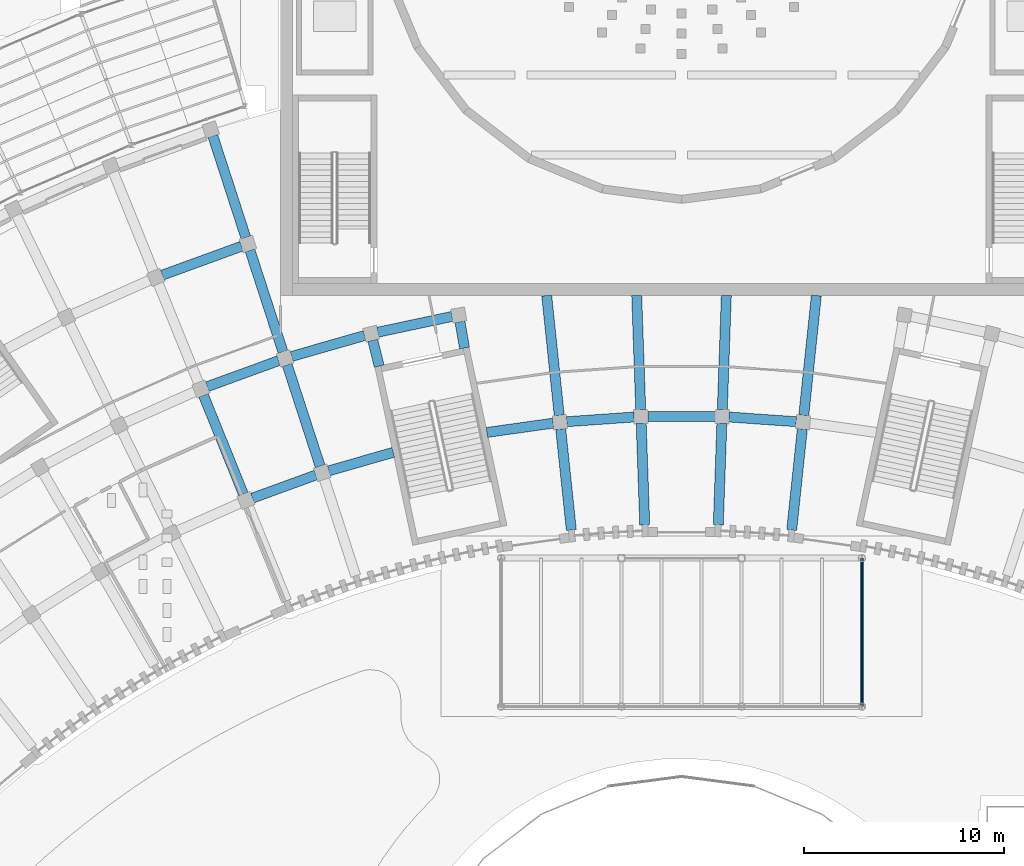
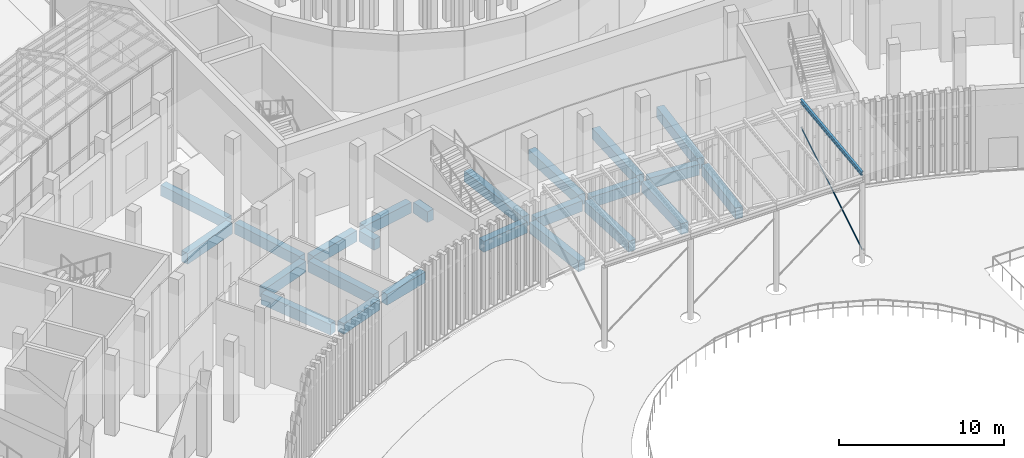
# One storey, part 31 of 155: 25 beams, 1 member.
"""IFC4 building model written with IfcOpenShell, lengths in metres."""

from ifc_helpers import new_model, si_unit, direction, frame, origin, origin_2d, place, context, subcontext, project, spatial, rectangle, hollow_circle, i_section, extrude, material, material_profile, profile_set, type_object, element, save


model = new_model("IFC4")

# Units and contexts
model_context = context("Model", 3, precision=1e-05, world=origin(), true_north=direction((0.0, 1.0)))
body_context = subcontext(model_context, "Body", "Model", "MODEL_VIEW")
ifc_project = project(units=[si_unit("LENGTHUNIT", "METRE"), si_unit("AREAUNIT", "SQUARE_METRE"), si_unit("VOLUMEUNIT", "CUBIC_METRE"), si_unit("PLANEANGLEUNIT", "RADIAN"), si_unit("MASSUNIT", "GRAM", prefix="KILO")], contexts=[model_context])

# Site, building, storey
site_placement = place(None, origin())
site = spatial("IfcSite", under=ifc_project, at=site_placement, CompositionType="ELEMENT")
building_placement = place(site_placement, origin())
building = spatial("IfcBuilding", under=site, at=building_placement, Name="Lunette Opera House", CompositionType="ELEMENT")
storey_placement = place(building_placement, origin())
storey = spatial("IfcBuildingStorey", under=building, at=storey_placement, Name="L00", CompositionType="ELEMENT", Elevation=0.0)

# Member
ifc_material_1 = material(Name="Steel S355", Category="steel")
ifc_material_profile_1 = material_profile(ifc_material_1, hollow_circle(Radius=0.04443359375, WallThickness=0.00390625, at=origin_2d()), Name="CHS 88.9X4")
ifc_profile_set_1 = profile_set([ifc_material_profile_1], Name="Steel S355")
member_type = type_object("IfcMemberType", Name="BRACING CHS 88.9X4", PredefinedType="BRACE", material=ifc_profile_set_1)
member_placement = place(storey_placement, frame((105.0, 43.5, 0.800048828125), z_axis=(0.0, 0.851285872344, 0.524702166517), x_axis=(-1.0, 0.0, 0.0)))
element("IfcMember", 1, at=member_placement, inside=storey, type_object=member_type, Name="mem-EC-L00-BS2", PredefinedType="BRACE", context=body_context, shape_type="SweptSolid", body=[
    extrude(hollow_circle(Radius=0.04443359375, WallThickness=0.00390625, at=origin_2d()), origin(), (0.0, 0.0, 1.0), 8.692626953125),
])

# Beams
ifc_material_2 = material(Name="Concrete C35/45", Category="concrete")
ifc_material_profile_2 = material_profile(ifc_material_2, rectangle(XDim=0.5, YDim=0.800048828125, at=origin_2d()), Name="RC BEAM 500X800")
ifc_profile_set_2 = profile_set([ifc_material_profile_2], Name="Concrete C35/45")
beam_type_1 = type_object("IfcBeamType", Name="RC BEAM 500X800", PredefinedType="BEAM", material=ifc_profile_set_2)
beam_1_placement = place(storey_placement, frame((74.14501953125, 54.092041015625, -0.6201171875), z_axis=(-0.374434974163, 0.927253174771, 0.0), x_axis=(-0.927253174771, -0.374434974163, 0.0)))
element("IfcBeam", 2, at=beam_1_placement, inside=storey, type_object=beam_type_1, Name="beam-FC-L00-L00-RB-RL-08-2", PredefinedType="BEAM", context=body_context, shape_type="SweptSolid", body=[
    extrude(rectangle(XDim=0.5, YDim=0.800048828125, at=origin_2d()), origin(), (0.0, 0.0, 1.0), 5.31982421875),
])
beam_2_placement = place(storey_placement, frame((77.971923828125, 55.485107421875, -0.6201171875), z_axis=(-0.309072580724, 0.951038453399, 0.0), x_axis=(-0.951038453399, -0.309072580724, 0.0)))
element("IfcBeam", 3, at=beam_2_placement, inside=storey, type_object=beam_type_1, Name="beam-FC-L00-L00-RB-RL-09-2", PredefinedType="BEAM", context=body_context, shape_type="SweptSolid", body=[
    extrude(rectangle(XDim=0.5, YDim=0.800048828125, at=origin_2d()), origin(), (0.0, 0.0, 1.0), 5.3193359375),
])
for number, where, z_axis, x_axis, name in (
    (4, (76.117919921875, 61.19091796875, -0.6201171875), (-0.30896363271, 0.951073852896, 0.0), (-0.951073852896, -0.30896363271, 0.0), "beam-FC-L00-L00-RB-RL-09-3"),
    (5, (74.263916015625, 66.89697265625, -0.6201171875), (-0.30896363271, 0.951073852896, 0.0), (-0.951073852896, -0.30896363271, 0.0), "beam-FC-L00-L00-RB-RL-09-4"),
):
    element("IfcBeam", number, at=place(storey_placement, frame(where, z_axis=z_axis, x_axis=x_axis)), inside=storey, type_object=beam_type_1, Name=name, PredefinedType="BEAM", context=body_context, shape_type="SweptSolid", body=[
        extrude(rectangle(XDim=0.5, YDim=0.800048828125, at=origin_2d()), origin(), (0.0, 0.0, 1.0), 5.3203125),
    ])
beam_3_placement = place(storey_placement, frame((80.9208984375, 60.47705078125, -0.6201171875), z_axis=(-0.241672643646, 0.970357837766, 0.0), x_axis=(-0.970357837766, -0.241672643646, 0.0)))
element("IfcBeam", 6, at=beam_3_placement, inside=storey, type_object=beam_type_1, Name="beam-FC-L00-L00-RB-RL-10-2", PredefinedType="BEAM", context=body_context, shape_type="SweptSolid", body=[
    extrude(rectangle(XDim=0.5, YDim=0.800048828125, at=origin_2d()), origin(), (0.0, 0.0, 1.0), 1.33154296875),
])
beam_4_placement = place(storey_placement, frame((85.177001953125, 61.381103515625, -0.6201171875), z_axis=(-0.173367133404, 0.984857267352, 0.0), x_axis=(-0.984857267352, -0.173367133404, 0.0)))
element("IfcBeam", 7, at=beam_4_placement, inside=storey, type_object=beam_type_1, Name="beam-FC-L00-L00-RB-RL-11-2", PredefinedType="BEAM", context=body_context, shape_type="SweptSolid", body=[
    extrude(rectangle(XDim=0.5, YDim=0.800048828125, at=origin_2d()), origin(), (0.0, 0.0, 1.0), 1.332275390625),
])
beam_5_placement = place(storey_placement, frame((90.5029296875, 52.302001953125, -0.6201171875), z_axis=(-0.104546911913, 0.994519956164, 0.0), x_axis=(-0.994519956164, -0.104546911913, 0.0)))
element("IfcBeam", 8, at=beam_5_placement, inside=storey, type_object=beam_type_1, Name="beam-FC-L00-L00-RB-RL-12-1", PredefinedType="BEAM", context=body_context, shape_type="SweptSolid", body=[
    extrude(rectangle(XDim=0.5, YDim=0.800048828125, at=origin_2d()), origin(), (0.0, 0.0, 1.0), 5.06982421875),
])
beam_6_placement = place(storey_placement, frame((89.902099609375, 58.02001953125, -0.6201171875), z_axis=(-0.104631945852, 0.994511013467, 0.0), x_axis=(-0.994511013467, -0.104631945852, 0.0)))
element("IfcBeam", 9, at=beam_6_placement, inside=storey, type_object=beam_type_1, Name="beam-FC-L00-L00-RB-RL-12-2", PredefinedType="BEAM", context=body_context, shape_type="SweptSolid", body=[
    extrude(rectangle(XDim=0.5, YDim=0.800048828125, at=origin_2d()), origin(), (0.0, 0.0, 1.0), 6.012939453125),
])
beam_7_placement = place(storey_placement, frame((94.1650390625, 52.55810546875, -0.6201171875), z_axis=(-0.034911729778, 0.999390399756, 0.0), x_axis=(-0.999390399756, -0.034911729778, 0.0)))
element("IfcBeam", 10, at=beam_7_placement, inside=storey, type_object=beam_type_1, Name="beam-FC-L00-L00-RB-RL-13-1", PredefinedType="BEAM", context=body_context, shape_type="SweptSolid", body=[
    extrude(rectangle(XDim=0.5, YDim=0.800048828125, at=origin_2d()), origin(), (0.0, 0.0, 1.0), 5.070068359375),
])
beam_8_placement = place(storey_placement, frame((93.964111328125, 58.303955078125, -0.6201171875), z_axis=(-0.03495355421, 0.999388937826, 0.0), x_axis=(-0.999388937826, -0.03495355421, 0.0)))
element("IfcBeam", 11, at=beam_8_placement, inside=storey, type_object=beam_type_1, Name="beam-FC-L00-L00-RB-RL-13-2", PredefinedType="BEAM", context=body_context, shape_type="SweptSolid", body=[
    extrude(rectangle(XDim=0.5, YDim=0.800048828125, at=origin_2d()), origin(), (0.0, 0.0, 1.0), 5.699462890625),
])
beam_9_placement = place(storey_placement, frame((97.8349609375, 52.55810546875, -0.6201171875), z_axis=(0.034911729778, 0.999390399756, 0.0), x_axis=(-0.999390399756, 0.034911729778, 0.0)))
element("IfcBeam", 12, at=beam_9_placement, inside=storey, type_object=beam_type_1, Name="beam-FC-L00-L00-RB-RL-14-1", PredefinedType="BEAM", context=body_context, shape_type="SweptSolid", body=[
    extrude(rectangle(XDim=0.5, YDim=0.800048828125, at=origin_2d()), origin(), (0.0, 0.0, 1.0), 5.070068359375),
])
beam_10_placement = place(storey_placement, frame((98.035888671875, 58.303955078125, -0.6201171875), z_axis=(0.03495355421, 0.999388937826, 0.0), x_axis=(-0.999388937826, 0.03495355421, 0.0)))
element("IfcBeam", 13, at=beam_10_placement, inside=storey, type_object=beam_type_1, Name="beam-FC-L00-L00-RB-RL-14-2", PredefinedType="BEAM", context=body_context, shape_type="SweptSolid", body=[
    extrude(rectangle(XDim=0.5, YDim=0.800048828125, at=origin_2d()), origin(), (0.0, 0.0, 1.0), 5.699462890625),
])
beam_11_placement = place(storey_placement, frame((101.4970703125, 52.302001953125, -0.6201171875), z_axis=(0.104546911913, 0.994519956164, 0.0), x_axis=(-0.994519956164, 0.104546911913, 0.0)))
element("IfcBeam", 14, at=beam_11_placement, inside=storey, type_object=beam_type_1, Name="beam-FC-L00-L00-RB-RL-15-1", PredefinedType="BEAM", context=body_context, shape_type="SweptSolid", body=[
    extrude(rectangle(XDim=0.5, YDim=0.800048828125, at=origin_2d()), origin(), (0.0, 0.0, 1.0), 5.06982421875),
])
beam_12_placement = place(storey_placement, frame((102.097900390625, 58.02001953125, -0.6201171875), z_axis=(0.104631945852, 0.994511013467, 0.0), x_axis=(-0.994511013467, 0.104631945852, 0.0)))
element("IfcBeam", 15, at=beam_12_placement, inside=storey, type_object=beam_type_1, Name="beam-FC-L00-L00-RB-RL-15-2", PredefinedType="BEAM", context=body_context, shape_type="SweptSolid", body=[
    extrude(rectangle(XDim=0.5, YDim=0.800048828125, at=origin_2d()), origin(), (0.0, 0.0, 1.0), 6.012939453125),
])
beam_13_placement = place(storey_placement, frame((74.593017578125, 53.89306640625, -0.6201171875), z_axis=(0.939670579887, 0.342080694128, 0.0), x_axis=(-0.342080694128, 0.939670579887, 0.0)))
element("IfcBeam", 16, at=beam_13_placement, inside=storey, type_object=beam_type_1, Name="beam-FC-L00-L00-RG-AR-M1-RL-08", PredefinedType="BEAM", context=body_context, shape_type="SweptSolid", body=[
    extrude(rectangle(XDim=0.5, YDim=0.800048828125, at=origin_2d()), origin(), (0.0, 0.0, 1.0), 3.3671875),
])
beam_14_placement = place(storey_placement, frame((78.404052734375, 55.2548828125, -0.6201171875), z_axis=(0.961250511112, 0.275676358956, 0.0), x_axis=(-0.275676358956, 0.961250511112, 0.0)))
element("IfcBeam", 17, at=beam_14_placement, inside=storey, type_object=beam_type_1, Name="beam-FC-L00-L00-RG-AR-M1-RL-09", PredefinedType="BEAM", context=body_context, shape_type="SweptSolid", body=[
    extrude(rectangle(XDim=0.5, YDim=0.800048828125, at=origin_2d()), origin(), (0.0, 0.0, 1.0), 3.34130859375),
])
beam_15_placement = place(storey_placement, frame((86.2919921875, 57.169921875, -0.6201171875), z_axis=(0.990261302267, 0.139221238437, 0.0), x_axis=(-0.139221238437, 0.990261302267, 0.0)))
element("IfcBeam", 18, at=beam_15_placement, inside=storey, type_object=beam_type_1, Name="beam-FC-L00-L00-RG-AR-M1-RL-11", PredefinedType="BEAM", context=body_context, shape_type="SweptSolid", body=[
    extrude(rectangle(XDim=0.5, YDim=0.800048828125, at=origin_2d()), origin(), (0.0, 0.0, 1.0), 3.340576171875),
])
beam_16_placement = place(storey_placement, frame((90.27587890625, 57.7060546875, -0.6201171875), z_axis=(0.997567490009, 0.069707265591, 0.0), x_axis=(-0.069707265591, 0.997567490009, 0.0)))
element("IfcBeam", 19, at=beam_16_placement, inside=storey, type_object=beam_type_1, Name="beam-FC-L00-L00-RG-AR-M1-RL-12", PredefinedType="BEAM", context=body_context, shape_type="SweptSolid", body=[
    extrude(rectangle(XDim=0.5, YDim=0.800048828125, at=origin_2d()), origin(), (0.0, 0.0, 1.0), 3.369384765625),
])
beam_17_placement = place(storey_placement, frame((94.31591796875, 57.965087890625, -0.6201171875), z_axis=(1.0, 0.0, 0.0), x_axis=(0.0, 1.0, 0.0)))
element("IfcBeam", 20, at=beam_17_placement, inside=storey, type_object=beam_type_1, Name="beam-FC-L00-L00-RG-AR-M1-RL-13", PredefinedType="BEAM", context=body_context, shape_type="SweptSolid", body=[
    extrude(rectangle(XDim=0.5, YDim=0.800048828125, at=origin_2d()), origin(), (0.0, 0.0, 1.0), 3.3681640625),
])
beam_18_placement = place(storey_placement, frame((98.363037109375, 57.94091796875, -0.6201171875), z_axis=(0.997567490009, -0.069707265591, 0.0), x_axis=(0.069707265591, 0.997567490009, 0.0)))
element("IfcBeam", 21, at=beam_18_placement, inside=storey, type_object=beam_type_1, Name="beam-FC-L00-L00-RG-AR-M1-RL-14", PredefinedType="BEAM", context=body_context, shape_type="SweptSolid", body=[
    extrude(rectangle(XDim=0.5, YDim=0.800048828125, at=origin_2d()), origin(), (0.0, 0.0, 1.0), 3.369384765625),
])
beam_19_placement = place(storey_placement, frame((72.344970703125, 59.4560546875, -0.6201171875), z_axis=(0.939620121597, 0.342219267561, 0.0), x_axis=(-0.342219267561, 0.939620121597, 0.0)))
element("IfcBeam", 22, at=beam_19_placement, inside=storey, type_object=beam_type_1, Name="beam-FC-L00-L00-RG-AR-B-RL-08", PredefinedType="BEAM", context=body_context, shape_type="SweptSolid", body=[
    extrude(rectangle(XDim=0.5, YDim=0.800048828125, at=origin_2d()), origin(), (0.0, 0.0, 1.0), 3.786865234375),
])
beam_20_placement = place(storey_placement, frame((76.550048828125, 60.9619140625, -0.6201171875), z_axis=(0.961314416765, 0.275453430037, 0.0), x_axis=(-0.275453430037, 0.961314416765, 0.0)))
element("IfcBeam", 23, at=beam_20_placement, inside=storey, type_object=beam_type_1, Name="beam-FC-L00-L00-RG-AR-B-RL-09", PredefinedType="BEAM", context=body_context, shape_type="SweptSolid", body=[
    extrude(rectangle(XDim=0.5, YDim=0.800048828125, at=origin_2d()), origin(), (0.0, 0.0, 1.0), 3.786376953125),
])
beam_21_placement = place(storey_placement, frame((80.85009765625, 62.169921875, -0.6201171875), z_axis=(0.978156720642, 0.207868780394, 0.0), x_axis=(-0.207868780394, 0.978156720642, 0.0)))
element("IfcBeam", 24, at=beam_21_placement, inside=storey, type_object=beam_type_1, Name="beam-FC-L00-L00-RG-AR-B-RL-10", PredefinedType="BEAM", context=body_context, shape_type="SweptSolid", body=[
    extrude(rectangle(XDim=0.5, YDim=0.800048828125, at=origin_2d()), origin(), (0.0, 0.0, 1.0), 3.78662109375),
])
beam_22_placement = place(storey_placement, frame((70.097900390625, 65.01904296875, -0.6201171875), z_axis=(0.939627187369, 0.34219986668, 0.0), x_axis=(-0.34219986668, 0.939627187369, 0.0)))
element("IfcBeam", 25, at=beam_22_placement, inside=storey, type_object=beam_type_1, Name="beam-FC-L00-L00-RG-AR-M2-RL-08", PredefinedType="BEAM", context=body_context, shape_type="SweptSolid", body=[
    extrude(rectangle(XDim=0.5, YDim=0.800048828125, at=origin_2d()), origin(), (0.0, 0.0, 1.0), 4.205078125),
])
ifc_material_3 = material(Name="Steel S355", Category="steel")
ifc_material_profile_3 = material_profile(ifc_material_3, i_section(OverallWidth=0.14990234375, OverallDepth=0.300048828125, WebThickness=0.007080078125, FlangeThickness=0.0107421875, FilletRadius=0.014892578125, at=origin_2d()), Name="IPE 300")
ifc_profile_set_3 = profile_set([ifc_material_profile_3], Name="Steel S355")
beam_type_2 = type_object("IfcBeamType", Name="STEEL BEAM IPE 300", PredefinedType="BEAM", material=ifc_profile_set_3)
beam_23_placement = place(storey_placement, frame((105.0, 43.5, 6.410888671875), z_axis=(0.0, 0.992603874681, 0.121398302984), x_axis=(-1.0, 0.0, 0.0)))
element("IfcBeam", 26, at=beam_23_placement, inside=storey, type_object=beam_type_2, Name="beam-EC-L00-SB9", PredefinedType="BEAM", context=body_context, shape_type="SweptSolid", body=[
    extrude(i_section(OverallWidth=0.14990234375, OverallDepth=0.300048828125, WebThickness=0.007080078125, FlangeThickness=0.0107421875, FilletRadius=0.014892578125, at=origin_2d()), origin(), (0.0, 0.0, 1.0), 7.455078125),
])

save(model, "model.ifc")
